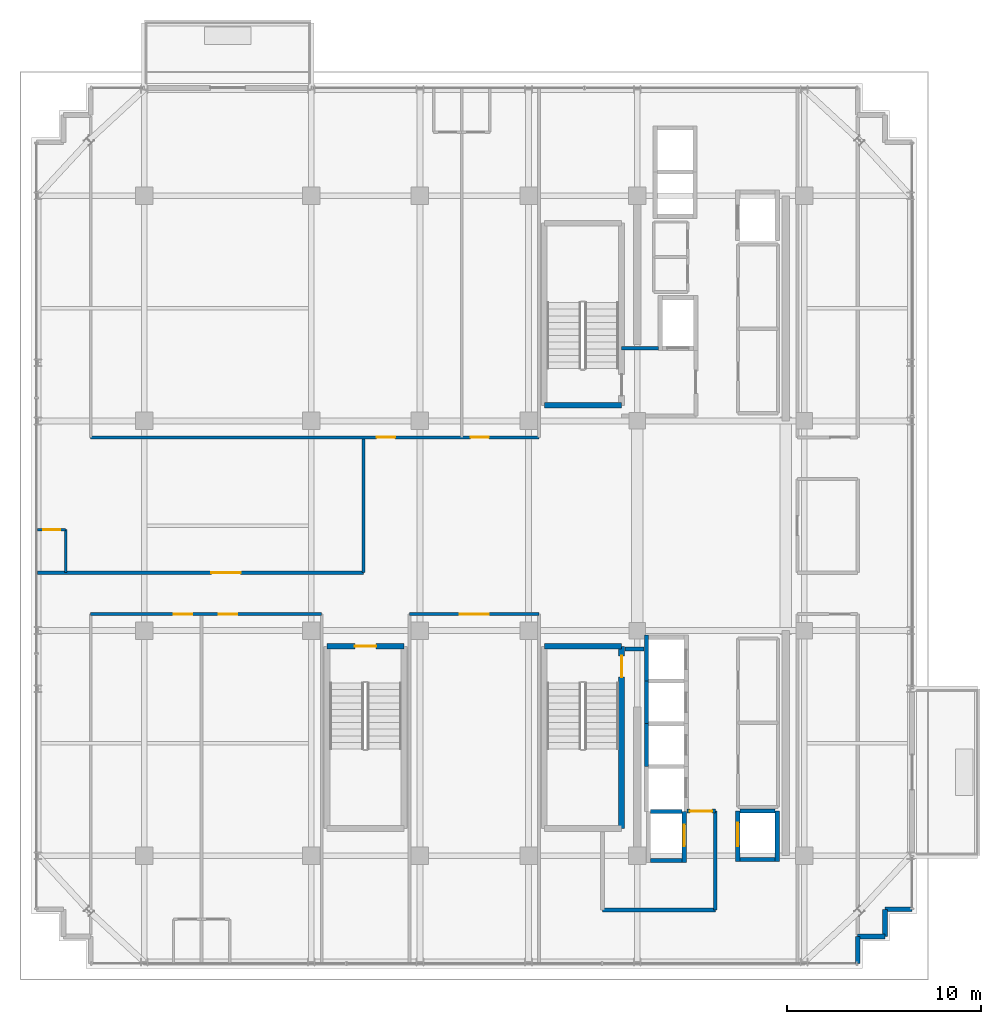
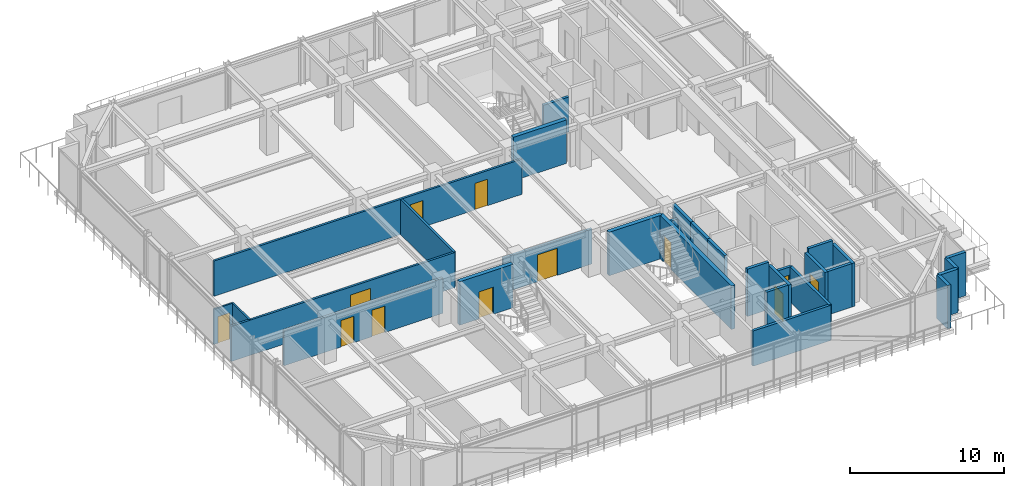
# One storey, part 24 of 32: 30 walls, 12 doors, 12 openings.
"""IFC4 building model written with IfcOpenShell, lengths in metres."""

from ifc_helpers import new_model, si_unit, direction, frame, frame_2d, origin, place, context, subcontext, project, spatial, rectangle, extrude, source, transform, mapped, material, layer, layer_set, type_object, element, fill, save


model = new_model("IFC4")

# Units and contexts
model_context = context("Model", 3, precision=1e-05, world=origin(), true_north=direction((0.0, 1.0)))
body_context = subcontext(model_context, "Body", "Model", "MODEL_VIEW")
ifc_project = project(units=[si_unit("LENGTHUNIT", "METRE"), si_unit("AREAUNIT", "SQUARE_METRE"), si_unit("VOLUMEUNIT", "CUBIC_METRE"), si_unit("PLANEANGLEUNIT", "RADIAN"), si_unit("MASSUNIT", "GRAM", prefix="KILO")], contexts=[model_context])

# Site, building, storey
site_placement = place(None, origin())
site = spatial("IfcSite", under=ifc_project, at=site_placement, CompositionType="ELEMENT")
building_placement = place(site_placement, origin())
building = spatial("IfcBuilding", under=site, at=building_placement, Name="Nahalor Promenade Grand Hotel", CompositionType="ELEMENT")
storey_placement = place(building_placement, frame((0.0, 0.0, 266.300048828125)))
storey = spatial("IfcBuildingStorey", under=building, at=storey_placement, Name="L68", CompositionType="ELEMENT", Elevation=266.300048828125)

# Walls
ifc_material_1 = material(Name="Concrete B-50 (C40/50)", Category="concrete")
ifc_layer_1 = layer(ifc_material_1, 0.300048828125)
ifc_layer_set_1 = layer_set([ifc_layer_1], Name="Concrete B-50 (C40/50)")
wall_type_1 = type_object("IfcWallType", Name="Wall-ShaftShear-300", PredefinedType="SHEAR", material=ifc_layer_set_1)
shared_shape_1 = source(origin(), body_context, "Body", "SweptSolid", [
    extrude(rectangle(XDim=3.97998046875, YDim=0.300048828125, at=frame_2d((1.989990234375, 0.0))), origin(), (0.0, 0.0, 1.0), 3.449951171875),
])
for number, where, z_axis, x_axis, name in (
    (1, (3.610107421875, 6.2099609375, 0.0), (0.0, 0.0, 1.0), (1.0, 0.0, 0.0), "L68 Exit Stair ST1 Shaft Wall S"),
    (2, (3.610107421875, -6.2099609375, 0.0), (0.0, 0.0, 1.0), (1.0, 0.0, 0.0), "L68 Exit Stair ST2 Shaft Wall N"),
):
    element("IfcWall", number, at=place(storey_placement, frame(where, z_axis=z_axis, x_axis=x_axis)), inside=storey, type_object=wall_type_1, Name=name, PredefinedType="SHEAR", context=body_context, shape_type="MappedRepresentation", body=[
        mapped(shared_shape_1, transform((0.0, 0.0, 0.0), scale=1.0)),
    ])

# Wall, opening, door
wall_1_placement = place(storey_placement, frame((-7.590087890625, -6.2099609375, 0.0), z_axis=(0.0, 0.0, 1.0), x_axis=(1.0, 0.0, 0.0)))
wall_1 = element("IfcWall", 3, at=wall_1_placement, inside=storey, type_object=wall_type_1, Name="L68 Exit Stair ST3 Shaft Wall N", PredefinedType="SHEAR", context=body_context, shape_type="MappedRepresentation", body=[
    mapped(shared_shape_1, transform((0.0, 0.0, 0.0), scale=1.0)),
])
opening_1_placement = place(wall_1_placement, frame((1.43994140625, 0.0, 0.0)))
opening_1 = element("IfcOpeningElement", 4, at=opening_1_placement, cuts=wall_1, Name="Opening D-ST1", PredefinedType="OPENING", context=body_context, shape_type="SweptSolid", body=[
    extrude(rectangle(XDim=1.10009765625, YDim=2.14990234375, at=frame_2d((0.550048828125, 1.074951171875))), frame((0.0, 0.159912109375, 0.0), z_axis=(0.0, -1.0, 0.0), x_axis=(1.0, 0.0, 0.0)), (0.0, 0.0, 1.0), 0.320068359375),
])
ifc_material_2 = material(Name="Steel S355JR", Category="steel")
door_type_1 = type_object("IfcDoorType", Name="Door-StairFire-1100", OperationType="NOTDEFINED", PredefinedType="DOOR", material=ifc_material_2)
shared_shape_2 = source(origin(), body_context, "Body", "SweptSolid", [
    extrude(rectangle(XDim=1.10009765625, YDim=2.14990234375, at=frame_2d((0.550048828125, 1.074951171875))), frame((0.0, 0.02490234375, 0.0), z_axis=(0.0, -1.0, 0.0), x_axis=(1.0, 0.0, 0.0)), (0.0, 0.0, 1.0), 0.050048828125),
])
door_1_placement = place(opening_1_placement, frame((1.10009765625, 0.0, 0.0), z_axis=(0.0, 0.0, 1.0), x_axis=(-1.0, 0.0, 0.0)))
door_1 = element("IfcDoor", 5, at=door_1_placement, inside=storey, type_object=door_type_1, Name="DR-STAIR-ST3-L68", OperationType="SINGLE_SWING_LEFT", OverallHeight=2.14990234375, OverallWidth=1.10009765625, PredefinedType="DOOR", context=body_context, shape_type="MappedRepresentation", body=[
    mapped(shared_shape_2, transform((0.0, 0.0, 0.0), scale=1.0)),
])
fill(opening_1, door_1)

shared_shape_3 = source(origin(), body_context, "Body", "SweptSolid", [
    extrude(rectangle(XDim=9.380126953125, YDim=0.300048828125, at=frame_2d((4.68994140625, 0.0))), origin(), (0.0, 0.0, 1.0), 3.449951171875),
])
wall_2_placement = place(storey_placement, frame((7.590087890625, -15.590087890625, 0.0), z_axis=(0.0, 0.0, 1.0), x_axis=(0.0, 1.0, 0.0)))
wall_2 = element("IfcWall", 6, at=wall_2_placement, inside=storey, type_object=wall_type_1, Name="L68 Exit Stair ST2 Shaft Wall E", PredefinedType="SHEAR", context=body_context, shape_type="MappedRepresentation", body=[
    mapped(shared_shape_3, transform((0.0, 0.0, 0.0), scale=1.0)),
])
opening_2_placement = place(wall_2_placement, frame((7.7900390625, 0.0, 0.0)))
opening_2 = element("IfcOpeningElement", 7, at=opening_2_placement, cuts=wall_2, Name="Opening D-ST1", PredefinedType="OPENING", context=body_context, shape_type="SweptSolid", body=[
    extrude(rectangle(XDim=1.10009765625, YDim=2.14990234375, at=frame_2d((0.550048828125, 1.074951171875))), frame((0.0, 0.159912109375, 0.0), z_axis=(0.0, -1.0, 0.0), x_axis=(1.0, 0.0, 0.0)), (0.0, 0.0, 1.0), 0.320068359375),
])
door_2_placement = place(opening_2_placement, origin())
door_2 = element("IfcDoor", 8, at=door_2_placement, inside=storey, type_object=door_type_1, Name="DR-STAIR-ST2-L68", OperationType="SINGLE_SWING_LEFT", OverallHeight=2.14990234375, OverallWidth=1.10009765625, PredefinedType="DOOR", context=body_context, shape_type="MappedRepresentation", body=[
    mapped(shared_shape_2, transform((0.0, 0.0, 0.0), scale=1.0)),
])
fill(opening_2, door_2)

# Walls
ifc_layer_2 = layer(ifc_material_1, 0.219970703125)
ifc_layer_set_2 = layer_set([ifc_layer_2], Name="Concrete B-50 (C40/50)")
wall_type_2 = type_object("IfcWallType", Name="Wall-LiftShaft-220", PredefinedType="SHEAR", material=ifc_layer_set_2)
shared_shape_4 = source(origin(), body_context, "Body", "SweptSolid", [
    extrude(rectangle(XDim=2.360107421875, YDim=0.219970703125, at=frame_2d((1.18017578125, 0.0))), origin(), (0.0, 0.0, 1.0), 3.449951171875),
])
wall_3_placement = place(storey_placement, frame((8.8798828125, -8.0, 0.0), z_axis=(0.0, 0.0, 1.0), x_axis=(0.0, 1.0, 0.0)))
element("IfcWall", 9, at=wall_3_placement, inside=storey, type_object=wall_type_2, Name="L68 Lift PL9 Hoistway Wall W", PredefinedType="SHEAR", context=body_context, shape_type="MappedRepresentation", body=[
    mapped(shared_shape_4, transform((0.0, 0.0, 0.0), scale=1.0)),
])
shared_shape_5 = source(origin(), body_context, "Body", "SweptSolid", [
    extrude(rectangle(XDim=1.820068359375, YDim=0.219970703125, at=frame_2d((0.91015625, 0.0))), origin(), (0.0, 0.0, 1.0), 3.449951171875),
])
wall_4_placement = place(storey_placement, frame((13.68994140625, -17.199951171875, 0.0), z_axis=(0.0, 0.0, 1.0), x_axis=(1.0, 0.0, 0.0)))
element("IfcWall", 10, at=wall_4_placement, inside=storey, type_object=wall_type_2, Name="L68 Lift SV2 Hoistway Wall S", PredefinedType="SHEAR", context=body_context, shape_type="MappedRepresentation", body=[
    mapped(shared_shape_5, transform((0.0, 0.0, 0.0), scale=1.0)),
])
shared_shape_6 = source(origin(), body_context, "Body", "SweptSolid", [
    extrude(rectangle(XDim=2.199951171875, YDim=0.219970703125, at=frame_2d((1.10009765625, 0.0))), origin(), (0.0, 0.0, 1.0), 3.449951171875),
])
for number, where, z_axis, x_axis, name in (
    (11, (8.8798828125, -10.199951171875, 0.0), (0.0, 0.0, 1.0), (0.0, 1.0, 0.0), "L68 Lift PL10 Hoistway Wall W"),
    (12, (8.8798828125, -12.39990234375, 0.0), (0.0, 0.0, 1.0), (0.0, 1.0, 0.0), "L68 Lift PL11 Hoistway Wall W"),
):
    element("IfcWall", number, at=place(storey_placement, frame(where, z_axis=z_axis, x_axis=x_axis)), inside=storey, type_object=wall_type_2, Name=name, PredefinedType="SHEAR", context=body_context, shape_type="MappedRepresentation", body=[
        mapped(shared_shape_6, transform((0.0, 0.0, 0.0), scale=1.0)),
    ])
shared_shape_7 = source(origin(), body_context, "Body", "SweptSolid", [
    extrude(rectangle(XDim=1.820068359375, YDim=0.219970703125, at=frame_2d((0.91015625, 0.0))), origin(), (0.0, 0.0, 1.0), 3.75),
])
wall_5_placement = place(storey_placement, frame((13.68994140625, -14.699951171875, 0.0), z_axis=(0.0, 0.0, 1.0), x_axis=(1.0, 0.0, 0.0)))
element("IfcWall", 13, at=wall_5_placement, inside=storey, type_object=wall_type_2, Name="L68 Lift SV2 Hoistway Wall N", PredefinedType="SHEAR", context=body_context, shape_type="MappedRepresentation", body=[
    mapped(shared_shape_7, transform((0.0, 0.0, 0.0), scale=1.0)),
])

# Wall, opening, door
shared_shape_8 = source(origin(), body_context, "Body", "SweptSolid", [
    extrude(rectangle(XDim=2.635009765625, YDim=0.219970703125, at=frame_2d((1.3173828125, 0.0))), origin(), (0.0, 0.0, 1.0), 3.449951171875),
])
wall_6_placement = place(storey_placement, frame((10.820068359375, -17.360107421875, 0.0), z_axis=(0.0, 0.0, 1.0), x_axis=(0.0, 1.0, 0.0)))
wall_6 = element("IfcWall", 14, at=wall_6_placement, inside=storey, type_object=wall_type_2, Name="L68 Lift FL2 Hoistway Wall E", PredefinedType="SHEAR", context=body_context, shape_type="MappedRepresentation", body=[
    mapped(shared_shape_8, transform((0.0, 0.0, 0.0), scale=1.0)),
])
opening_3_placement = place(wall_6_placement, frame((0.860107421875, 0.0, 0.0)))
opening_3 = element("IfcOpeningElement", 15, at=opening_3_placement, cuts=wall_6, Name="Opening LD-02", PredefinedType="OPENING", context=body_context, shape_type="SweptSolid", body=[
    extrude(rectangle(XDim=1.10009765625, YDim=2.199951171875, at=frame_2d((0.550048828125, 1.10009765625))), frame((0.0, 0.119873046875, 0.0), z_axis=(0.0, -1.0, 0.0), x_axis=(1.0, 0.0, 0.0)), (0.0, 0.0, 1.0), 0.239990234375),
])
door_type_2 = type_object("IfcDoorType", Name="Door-LiftFF-1100", OperationType="DOUBLE_DOOR_SLIDING", PredefinedType="DOOR", material=ifc_material_2)
shared_shape_9 = source(origin(), body_context, "Body", "SweptSolid", [
    extrude(rectangle(XDim=1.10009765625, YDim=2.199951171875, at=frame_2d((0.550048828125, 1.10009765625))), frame((0.0, 0.02490234375, 0.0), z_axis=(0.0, -1.0, 0.0), x_axis=(1.0, 0.0, 0.0)), (0.0, 0.0, 1.0), 0.050048828125),
])
door_3_placement = place(opening_3_placement, frame((1.10009765625, 0.0, 0.0), z_axis=(0.0, 0.0, 1.0), x_axis=(-1.0, 0.0, 0.0)))
door_3 = element("IfcDoor", 16, at=door_3_placement, inside=storey, type_object=door_type_2, Name="DR-LIFT-FL2-L68", OperationType="DOUBLE_DOOR_SLIDING", OverallHeight=2.199951171875, OverallWidth=1.10009765625, PredefinedType="DOOR", context=body_context, shape_type="MappedRepresentation", body=[
    mapped(shared_shape_9, transform((0.0, 0.0, 0.0), scale=1.0)),
])
fill(opening_3, door_3)

# Walls
shared_shape_10 = source(origin(), body_context, "Body", "SweptSolid", [
    extrude(rectangle(XDim=1.619873046875, YDim=0.219970703125, at=frame_2d((0.81005859375, 0.0))), origin(), (0.0, 0.0, 1.0), 3.449951171875),
])
wall_7_placement = place(storey_placement, frame((9.090087890625, -17.25, 0.0), z_axis=(0.0, 0.0, 1.0), x_axis=(1.0, 0.0, 0.0)))
element("IfcWall", 17, at=wall_7_placement, inside=storey, type_object=wall_type_2, Name="L68 Lift FL2 Hoistway Wall S", PredefinedType="SHEAR", context=body_context, shape_type="MappedRepresentation", body=[
    mapped(shared_shape_10, transform((0.0, 0.0, 0.0), scale=1.0)),
])
shared_shape_11 = source(origin(), body_context, "Body", "SweptSolid", [
    extrude(rectangle(XDim=1.619873046875, YDim=0.219970703125, at=frame_2d((0.81005859375, 0.0))), origin(), (0.0, 0.0, 1.0), 3.75),
])
wall_8_placement = place(storey_placement, frame((9.090087890625, -14.72509765625, 0.0), z_axis=(0.0, 0.0, 1.0), x_axis=(1.0, 0.0, 0.0)))
element("IfcWall", 18, at=wall_8_placement, inside=storey, type_object=wall_type_2, Name="L68 Lift FL2 Hoistway Wall N", PredefinedType="SHEAR", context=body_context, shape_type="MappedRepresentation", body=[
    mapped(shared_shape_11, transform((0.0, 0.0, 0.0), scale=1.0)),
])

# Wall, opening, door
shared_shape_12 = source(origin(), body_context, "Body", "SweptSolid", [
    extrude(rectangle(XDim=2.610107421875, YDim=0.219970703125, at=frame_2d((1.30517578125, 0.0))), origin(), (0.0, 0.0, 1.0), 3.449951171875),
])
wall_9_placement = place(storey_placement, frame((13.580078125, -17.31005859375, 0.0), z_axis=(0.0, 0.0, 1.0), x_axis=(0.0, 1.0, 0.0)))
wall_9 = element("IfcWall", 19, at=wall_9_placement, inside=storey, type_object=wall_type_2, Name="L68 Lift SV2 Hoistway Wall W", PredefinedType="SHEAR", context=body_context, shape_type="MappedRepresentation", body=[
    mapped(shared_shape_12, transform((0.0, 0.0, 0.0), scale=1.0)),
])
opening_4_placement = place(wall_9_placement, frame((0.81005859375, 0.0, 0.0)))
opening_4 = element("IfcOpeningElement", 20, at=opening_4_placement, cuts=wall_9, Name="Opening LD-03", PredefinedType="OPENING", context=body_context, shape_type="SweptSolid", body=[
    extrude(rectangle(XDim=1.199951171875, YDim=2.199951171875, at=frame_2d((0.60009765625, 1.10009765625))), frame((0.0, 0.119873046875, 0.0), z_axis=(0.0, -1.0, 0.0), x_axis=(1.0, 0.0, 0.0)), (0.0, 0.0, 1.0), 0.239990234375),
])
door_type_3 = type_object("IfcDoorType", Name="Door-LiftService-1200", OperationType="DOUBLE_DOOR_SLIDING", PredefinedType="DOOR", material=ifc_material_2)
shared_shape_13 = source(origin(), body_context, "Body", "SweptSolid", [
    extrude(rectangle(XDim=1.199951171875, YDim=2.199951171875, at=frame_2d((0.60009765625, 1.10009765625))), frame((0.0, 0.02490234375, 0.0), z_axis=(0.0, -1.0, 0.0), x_axis=(1.0, 0.0, 0.0)), (0.0, 0.0, 1.0), 0.050048828125),
])
door_4_placement = place(opening_4_placement, origin())
door_4 = element("IfcDoor", 21, at=door_4_placement, inside=storey, type_object=door_type_3, Name="DR-LIFT-SV2-L68", OperationType="DOUBLE_DOOR_SLIDING", OverallHeight=2.199951171875, OverallWidth=1.199951171875, PredefinedType="DOOR", context=body_context, shape_type="MappedRepresentation", body=[
    mapped(shared_shape_13, transform((0.0, 0.0, 0.0), scale=1.0)),
])
fill(opening_4, door_4)

# Walls
wall_10_placement = place(storey_placement, frame((15.6201171875, -17.31005859375, 0.0), z_axis=(0.0, 0.0, 1.0), x_axis=(0.0, 1.0, 0.0)))
element("IfcWall", 22, at=wall_10_placement, inside=storey, type_object=wall_type_2, Name="L68 Lift SV2 Hoistway Wall E", PredefinedType="SHEAR", context=body_context, shape_type="MappedRepresentation", body=[
    mapped(shared_shape_12, transform((0.0, 0.0, 0.0), scale=1.0)),
])
ifc_material_3 = material(Name="Concrete B-40 (C32/40)", Category="concrete")
ifc_layer_3 = layer(ifc_material_3, 0.25)
ifc_layer_set_3 = layer_set([ifc_layer_3], Name="Concrete B-40 (C32/40)")
wall_type_3 = type_object("IfcWallType", Name="Wall-BronzePier-250", PredefinedType="STANDARD", material=ifc_layer_set_3)
shared_shape_14 = source(origin(), body_context, "Body", "SweptSolid", [
    extrude(rectangle(XDim=1.400146484375, YDim=0.25, at=frame_2d((0.7001953125, 0.0))), origin(), (0.0, 0.0, 1.0), 3.449951171875),
])
for number, where, z_axis, x_axis, name in (
    (23, (19.760009765625, -22.56005859375, 0.0), (0.0, 0.0, 1.0), (0.0, 1.0, 0.0), "W-L68-SR-01"),
    (24, (21.159912109375, -19.760009765625, 0.0), (0.0, 0.0, 1.0), (1.0, 0.0, 0.0), "W-L68-SR-04"),
):
    element("IfcWall", number, at=place(storey_placement, frame(where, z_axis=z_axis, x_axis=x_axis)), inside=storey, type_object=wall_type_3, Name=name, PredefinedType="STANDARD", context=body_context, shape_type="MappedRepresentation", body=[
        mapped(shared_shape_14, transform((0.0, 0.0, 0.0), scale=1.0)),
    ])
shared_shape_15 = source(origin(), body_context, "Body", "SweptSolid", [
    extrude(rectangle(XDim=1.39990234375, YDim=0.25, at=frame_2d((0.699951171875, 0.0))), origin(), (0.0, 0.0, 1.0), 3.449951171875),
])
for number, where, z_axis, x_axis, name in (
    (25, (19.760009765625, -21.159912109375, 0.0), (0.0, 0.0, 1.0), (1.0, 0.0, 0.0), "W-L68-SR-02"),
    (26, (21.159912109375, -21.159912109375, 0.0), (0.0, 0.0, 1.0), (0.0, 1.0, 0.0), "W-L68-SR-03"),
):
    element("IfcWall", number, at=place(storey_placement, frame(where, z_axis=z_axis, x_axis=x_axis)), inside=storey, type_object=wall_type_3, Name=name, PredefinedType="STANDARD", context=body_context, shape_type="MappedRepresentation", body=[
        mapped(shared_shape_15, transform((0.0, 0.0, 0.0), scale=1.0)),
    ])
ifc_layer_4 = layer(ifc_material_3, 0.199951171875)
ifc_layer_set_4 = layer_set([ifc_layer_4], Name="Concrete B-40 (C32/40)")
wall_type_4 = type_object("IfcWallType", Name="Wall-PartFire-200", PredefinedType="PARTITIONING", material=ifc_layer_set_4)
shared_shape_16 = source(origin(), body_context, "Body", "SweptSolid", [
    extrude(rectangle(XDim=1.89990234375, YDim=0.199951171875, at=frame_2d((0.949951171875, 0.0))), origin(), (0.0, 0.0, 1.0), 2.7900390625),
])
wall_11_placement = place(storey_placement, frame((7.60009765625, 9.14990234375, 0.0), z_axis=(0.0, 0.0, 1.0), x_axis=(1.0, 0.0, 0.0)))
element("IfcWall", 27, at=wall_11_placement, inside=storey, type_object=wall_type_4, Name="W-L68-FF1-N", PredefinedType="PARTITIONING", context=body_context, shape_type="MappedRepresentation", body=[
    mapped(shared_shape_16, transform((0.0, 0.0, 0.0), scale=1.0)),
])
shared_shape_17 = source(origin(), body_context, "Body", "SweptSolid", [
    extrude(rectangle(XDim=5.81982421875, YDim=0.199951171875, at=frame_2d((2.909912109375, 0.0))), origin(), (0.0, 0.0, 1.0), 2.7900390625),
])
wall_12_placement = place(storey_placement, frame((6.60009765625, -19.800048828125, 0.0), z_axis=(0.0, 0.0, 1.0), x_axis=(1.0, 0.0, 0.0)))
element("IfcWall", 28, at=wall_12_placement, inside=storey, type_object=wall_type_4, Name="W-L68-FF2-S1", PredefinedType="PARTITIONING", context=body_context, shape_type="MappedRepresentation", body=[
    mapped(shared_shape_17, transform((0.0, 0.0, 0.0), scale=1.0)),
])
shared_shape_18 = source(origin(), body_context, "Body", "SweptSolid", [
    extrude(rectangle(XDim=5.10009765625, YDim=0.199951171875, at=frame_2d((2.550048828125, 0.0))), origin(), (0.0, 0.0, 1.0), 2.7900390625),
])
wall_13_placement = place(storey_placement, frame((12.419921875, -19.800048828125, 0.0), z_axis=(0.0, 0.0, 1.0), x_axis=(0.0, 1.0, 0.0)))
element("IfcWall", 29, at=wall_13_placement, inside=storey, type_object=wall_type_4, Name="W-L68-FF2-E", PredefinedType="PARTITIONING", context=body_context, shape_type="MappedRepresentation", body=[
    mapped(shared_shape_18, transform((0.0, 0.0, 0.0), scale=1.0)),
])

# Wall, opening, door
shared_shape_19 = source(origin(), body_context, "Body", "SweptSolid", [
    extrude(rectangle(XDim=1.4599609375, YDim=0.199951171875, at=frame_2d((0.72998046875, 0.0))), origin(), (0.0, 0.0, 1.0), 2.7900390625),
])
wall_14_placement = place(storey_placement, frame((10.9599609375, -14.699951171875, 0.0), z_axis=(0.0, 0.0, 1.0), x_axis=(1.0, 0.0, 0.0)))
wall_14 = element("IfcWall", 30, at=wall_14_placement, inside=storey, type_object=wall_type_4, Name="W-L68-FF2-N1", PredefinedType="PARTITIONING", context=body_context, shape_type="MappedRepresentation", body=[
    mapped(shared_shape_19, transform((0.0, 0.0, 0.0), scale=1.0)),
])
opening_5_placement = place(wall_14_placement, frame((0.14501953125, 0.0, 0.0)))
opening_5 = element("IfcOpeningElement", 31, at=opening_5_placement, cuts=wall_14, Name="Opening D-FF1", PredefinedType="OPENING", context=body_context, shape_type="SweptSolid", body=[
    extrude(rectangle(XDim=1.14990234375, YDim=2.14990234375, at=frame_2d((0.574951171875, 1.074951171875))), frame((0.0, 0.10986328125, 0.0), z_axis=(0.0, -1.0, 0.0), x_axis=(1.0, 0.0, 0.0)), (0.0, 0.0, 1.0), 0.219970703125),
])
door_type_4 = type_object("IfcDoorType", Name="Door-FFLobby-1150", OperationType="NOTDEFINED", PredefinedType="DOOR", material=ifc_material_2)
shared_shape_20 = source(origin(), body_context, "Body", "SweptSolid", [
    extrude(rectangle(XDim=1.14990234375, YDim=2.14990234375, at=frame_2d((0.574951171875, 1.074951171875))), frame((0.0, 0.02490234375, 0.0), z_axis=(0.0, -1.0, 0.0), x_axis=(1.0, 0.0, 0.0)), (0.0, 0.0, 1.0), 0.050048828125),
])
door_5_placement = place(opening_5_placement, origin())
door_5 = element("IfcDoor", 32, at=door_5_placement, inside=storey, type_object=door_type_4, Name="DR-L68-FFL2", OperationType="SINGLE_SWING_LEFT", OverallHeight=2.14990234375, OverallWidth=1.14990234375, PredefinedType="DOOR", context=body_context, shape_type="MappedRepresentation", body=[
    mapped(shared_shape_20, transform((0.0, 0.0, 0.0), scale=1.0)),
])
fill(opening_5, door_5)

# Wall
shared_shape_21 = source(origin(), body_context, "Body", "SweptSolid", [
    extrude(rectangle(XDim=0.969970703125, YDim=0.199951171875, at=frame_2d((0.48486328125, 0.0))), origin(), (0.0, 0.0, 1.0), 2.7900390625),
])
wall_15_placement = place(storey_placement, frame((7.77001953125, -6.35009765625, 0.0), z_axis=(0.0, 0.0, 1.0), x_axis=(1.0, 0.0, 0.0)))
element("IfcWall", 33, at=wall_15_placement, inside=storey, type_object=wall_type_4, Name="W-L68-FF2-N2", PredefinedType="PARTITIONING", context=body_context, shape_type="MappedRepresentation", body=[
    mapped(shared_shape_21, transform((0.0, 0.0, 0.0), scale=1.0)),
])

# Wall, openings, doors
ifc_material_4 = material(Name="Acoustic Mineral Gypsum", Category="gypsum")
ifc_layer_5 = layer(ifc_material_4, 0.159912109375)
ifc_layer_set_5 = layer_set([ifc_layer_5], Name="Acoustic Mineral Gypsum")
wall_type_5 = type_object("IfcWallType", Name="Wall-PartCorridor-160", PredefinedType="PARTITIONING", material=ifc_layer_set_5)
shared_shape_22 = source(origin(), body_context, "Body", "SweptSolid", [
    extrude(rectangle(XDim=23.10009765625, YDim=0.159912109375, at=frame_2d((11.550048828125, 0.0))), origin(), (0.0, 0.0, 1.0), 2.7900390625),
])
wall_16_placement = place(storey_placement, frame((-19.760009765625, 4.550048828125, 0.0), z_axis=(0.0, 0.0, 1.0), x_axis=(1.0, 0.0, 0.0)))
wall_16 = element("IfcWall", 34, at=wall_16_placement, inside=storey, type_object=wall_type_5, Name="W-L68-CORR-N", PredefinedType="PARTITIONING", context=body_context, shape_type="MappedRepresentation", body=[
    mapped(shared_shape_22, transform((0.0, 0.0, 0.0), scale=1.0)),
])
opening_6_placement = place(wall_16_placement, frame((14.72802734375, 0.0, 0.0)))
opening_6 = element("IfcOpeningElement", 35, at=opening_6_placement, cuts=wall_16, Name="Opening D-01", PredefinedType="OPENING", context=body_context, shape_type="SweptSolid", body=[
    extrude(rectangle(XDim=0.949951171875, YDim=2.10009765625, at=frame_2d((0.47509765625, 1.050048828125))), frame((0.0, 0.08984375, 0.0), z_axis=(0.0, -1.0, 0.0), x_axis=(1.0, 0.0, 0.0)), (0.0, 0.0, 1.0), 0.179931640625),
])
opening_7_placement = place(wall_16_placement, frame((19.569091796875, 0.0, 0.0)))
opening_7 = element("IfcOpeningElement", 36, at=opening_7_placement, cuts=wall_16, Name="Opening D-01", PredefinedType="OPENING", context=body_context, shape_type="SweptSolid", body=[
    extrude(rectangle(XDim=0.949951171875, YDim=2.10009765625, at=frame_2d((0.47509765625, 1.050048828125))), frame((0.0, 0.08984375, 0.0), z_axis=(0.0, -1.0, 0.0), x_axis=(1.0, 0.0, 0.0)), (0.0, 0.0, 1.0), 0.179931640625),
])
ifc_material_5 = material(Name="Fire-Rated Timber Composite", Category="wood")
door_type_5 = type_object("IfcDoorType", Name="Door-GuestEntry-950", OperationType="NOTDEFINED", PredefinedType="DOOR", material=ifc_material_5)
shared_shape_23 = source(origin(), body_context, "Body", "SweptSolid", [
    extrude(rectangle(XDim=0.949951171875, YDim=2.10009765625, at=frame_2d((0.47509765625, 1.050048828125))), frame((0.0, 0.02490234375, 0.0), z_axis=(0.0, -1.0, 0.0), x_axis=(1.0, 0.0, 0.0)), (0.0, 0.0, 1.0), 0.050048828125),
])
door_6_placement = place(opening_6_placement, origin())
door_6 = element("IfcDoor", 37, at=door_6_placement, inside=storey, type_object=door_type_5, Name="DR-L68-N1-ENT", OperationType="SINGLE_SWING_LEFT", OverallHeight=2.10009765625, OverallWidth=0.949951171875, PredefinedType="DOOR", context=body_context, shape_type="MappedRepresentation", body=[
    mapped(shared_shape_23, transform((0.0, 0.0, 0.0), scale=1.0)),
])
fill(opening_6, door_6)
door_7_placement = place(opening_7_placement, origin())
door_7 = element("IfcDoor", 38, at=door_7_placement, inside=storey, type_object=door_type_5, Name="DR-L68-N2-ENT", OperationType="SINGLE_SWING_LEFT", OverallHeight=2.10009765625, OverallWidth=0.949951171875, PredefinedType="DOOR", context=body_context, shape_type="MappedRepresentation", body=[
    mapped(shared_shape_23, transform((0.0, 0.0, 0.0), scale=1.0)),
])
fill(opening_7, door_7)

# Wall, opening, door
ifc_layer_6 = layer(ifc_material_4, 0.1201171875)
ifc_layer_set_6 = layer_set([ifc_layer_6], Name="Acoustic Mineral Gypsum")
wall_type_6 = type_object("IfcWallType", Name="Wall-PartBath-120", PredefinedType="PARTITIONING", material=ifc_layer_set_6)
shared_shape_24 = source(origin(), body_context, "Body", "SweptSolid", [
    extrude(rectangle(XDim=1.449951171875, YDim=0.1201171875, at=frame_2d((0.72509765625, 0.0))), origin(), (0.0, 0.0, 1.0), 2.7900390625),
])
wall_17_placement = place(storey_placement, frame((-22.5, -0.199951171875, 0.0), z_axis=(0.0, 0.0, 1.0), x_axis=(1.0, 0.0, 0.0)))
wall_17 = element("IfcWall", 39, at=wall_17_placement, inside=storey, type_object=wall_type_6, Name="W-L68-W1-BH", PredefinedType="PARTITIONING", context=body_context, shape_type="MappedRepresentation", body=[
    mapped(shared_shape_24, transform((0.0, 0.0, 0.0), scale=1.0)),
])
opening_8_placement = place(wall_17_placement, frame((0.284912109375, 0.0, 0.0)))
opening_8 = element("IfcOpeningElement", 40, at=opening_8_placement, cuts=wall_17, Name="Opening D-03", PredefinedType="OPENING", context=body_context, shape_type="SweptSolid", body=[
    extrude(rectangle(XDim=0.8798828125, YDim=2.10009765625, at=frame_2d((0.43994140625, 1.050048828125))), frame((0.0, 0.070068359375, 0.0), z_axis=(0.0, -1.0, 0.0), x_axis=(1.0, 0.0, 0.0)), (0.0, 0.0, 1.0), 0.14013671875),
])
door_type_6 = type_object("IfcDoorType", Name="Door-BathSwing-880", OperationType="NOTDEFINED", PredefinedType="DOOR", material=ifc_material_5)
shared_shape_25 = source(origin(), body_context, "Body", "SweptSolid", [
    extrude(rectangle(XDim=0.8798828125, YDim=2.10009765625, at=frame_2d((0.43994140625, 1.050048828125))), frame((0.0, 0.02490234375, 0.0), z_axis=(0.0, -1.0, 0.0), x_axis=(1.0, 0.0, 0.0)), (0.0, 0.0, 1.0), 0.050048828125),
])
door_8_placement = place(opening_8_placement, frame((0.8798828125, 0.0, 0.0), z_axis=(0.0, 0.0, 1.0), x_axis=(-1.0, 0.0, 0.0)))
door_8 = element("IfcDoor", 41, at=door_8_placement, inside=storey, type_object=door_type_6, Name="DR-L68-W1-BATH", OperationType="SINGLE_SWING_RIGHT", OverallHeight=2.10009765625, OverallWidth=0.8798828125, PredefinedType="DOOR", context=body_context, shape_type="MappedRepresentation", body=[
    mapped(shared_shape_25, transform((0.0, 0.0, 0.0), scale=1.0)),
])
fill(opening_8, door_8)

# Wall
shared_shape_26 = source(origin(), body_context, "Body", "SweptSolid", [
    extrude(rectangle(XDim=2.219970703125, YDim=0.1201171875, at=frame_2d((1.10986328125, 0.0))), origin(), (0.0, 0.0, 1.0), 2.7900390625),
])
wall_18_placement = place(storey_placement, frame((-21.050048828125, -2.419921875, 0.0), z_axis=(0.0, 0.0, 1.0), x_axis=(0.0, 1.0, 0.0)))
element("IfcWall", 42, at=wall_18_placement, inside=storey, type_object=wall_type_6, Name="W-L68-W1-BV", PredefinedType="PARTITIONING", context=body_context, shape_type="MappedRepresentation", body=[
    mapped(shared_shape_26, transform((0.0, 0.0, 0.0), scale=1.0)),
])

# Wall, openings, doors
shared_shape_27 = source(origin(), body_context, "Body", "SweptSolid", [
    extrude(rectangle(XDim=11.89990234375, YDim=0.159912109375, at=frame_2d((5.949951171875, 0.0))), origin(), (0.0, 0.0, 1.0), 2.7900390625),
])
wall_19_placement = place(storey_placement, frame((-19.760009765625, -4.550048828125, 0.0), z_axis=(0.0, 0.0, 1.0), x_axis=(1.0, 0.0, 0.0)))
wall_19 = element("IfcWall", 43, at=wall_19_placement, inside=storey, type_object=wall_type_5, Name="W-L68-CORR-S", PredefinedType="PARTITIONING", context=body_context, shape_type="MappedRepresentation", body=[
    mapped(shared_shape_27, transform((0.0, 0.0, 0.0), scale=1.0)),
])
opening_9_placement = place(wall_19_placement, frame((4.27099609375, 0.0, 0.0)))
opening_9 = element("IfcOpeningElement", 44, at=opening_9_placement, cuts=wall_19, Name="Opening D-01", PredefinedType="OPENING", context=body_context, shape_type="SweptSolid", body=[
    extrude(rectangle(XDim=0.949951171875, YDim=2.10009765625, at=frame_2d((0.47509765625, 1.050048828125))), frame((0.0, 0.08984375, 0.0), z_axis=(0.0, -1.0, 0.0), x_axis=(1.0, 0.0, 0.0)), (0.0, 0.0, 1.0), 0.179931640625),
])
opening_10_placement = place(wall_19_placement, frame((6.597900390625, 0.0, 0.0)))
opening_10 = element("IfcOpeningElement", 45, at=opening_10_placement, cuts=wall_19, Name="Opening D-01", PredefinedType="OPENING", context=body_context, shape_type="SweptSolid", body=[
    extrude(rectangle(XDim=0.949951171875, YDim=2.10009765625, at=frame_2d((0.47509765625, 1.050048828125))), frame((0.0, 0.08984375, 0.0), z_axis=(0.0, -1.0, 0.0), x_axis=(1.0, 0.0, 0.0)), (0.0, 0.0, 1.0), 0.179931640625),
])
door_9_placement = place(opening_9_placement, frame((0.949951171875, 0.0, 0.0), z_axis=(0.0, 0.0, 1.0), x_axis=(-1.0, 0.0, 0.0)))
door_9 = element("IfcDoor", 46, at=door_9_placement, inside=storey, type_object=door_type_5, Name="DR-L68-S1-ENT", OperationType="SINGLE_SWING_LEFT", OverallHeight=2.10009765625, OverallWidth=0.949951171875, PredefinedType="DOOR", context=body_context, shape_type="MappedRepresentation", body=[
    mapped(shared_shape_23, transform((0.0, 0.0, 0.0), scale=1.0)),
])
fill(opening_9, door_9)
door_10_placement = place(opening_10_placement, frame((0.949951171875, 0.0, 0.0), z_axis=(0.0, 0.0, 1.0), x_axis=(-1.0, 0.0, 0.0)))
door_10 = element("IfcDoor", 47, at=door_10_placement, inside=storey, type_object=door_type_5, Name="DR-L68-S2-ENT", OperationType="SINGLE_SWING_LEFT", OverallHeight=2.10009765625, OverallWidth=0.949951171875, PredefinedType="DOOR", context=body_context, shape_type="MappedRepresentation", body=[
    mapped(shared_shape_23, transform((0.0, 0.0, 0.0), scale=1.0)),
])
fill(opening_10, door_10)

# Wall, opening, door
shared_shape_28 = source(origin(), body_context, "Body", "SweptSolid", [
    extrude(rectangle(XDim=6.68017578125, YDim=0.159912109375, at=frame_2d((3.340087890625, 0.0))), origin(), (0.0, 0.0, 1.0), 2.7900390625),
])
wall_20_placement = place(storey_placement, frame((-3.340087890625, -4.550048828125, 0.0), z_axis=(0.0, 0.0, 1.0), x_axis=(1.0, 0.0, 0.0)))
wall_20 = element("IfcWall", 48, at=wall_20_placement, inside=storey, type_object=wall_type_5, Name="W-L68-SCB-N", PredefinedType="PARTITIONING", context=body_context, shape_type="MappedRepresentation", body=[
    mapped(shared_shape_28, transform((0.0, 0.0, 0.0), scale=1.0)),
])
opening_11_placement = place(wall_20_placement, frame((2.590087890625, 0.0, 0.0)))
opening_11 = element("IfcOpeningElement", 49, at=opening_11_placement, cuts=wall_20, Name="Opening D-02", PredefinedType="OPENING", context=body_context, shape_type="SweptSolid", body=[
    extrude(rectangle(XDim=1.5, YDim=2.14990234375, at=frame_2d((0.75, 1.074951171875))), frame((0.0, 0.08984375, 0.0), z_axis=(0.0, -1.0, 0.0), x_axis=(1.0, 0.0, 0.0)), (0.0, 0.0, 1.0), 0.179931640625),
])
door_type_7 = type_object("IfcDoorType", Name="Door-SuiteDouble-1500", OperationType="DOUBLE_DOOR_SINGLE_SWING", PredefinedType="DOOR", material=ifc_material_5)
shared_shape_29 = source(origin(), body_context, "Body", "SweptSolid", [
    extrude(rectangle(XDim=1.5, YDim=2.14990234375, at=frame_2d((0.75, 1.074951171875))), frame((0.0, 0.02490234375, 0.0), z_axis=(0.0, -1.0, 0.0), x_axis=(1.0, 0.0, 0.0)), (0.0, 0.0, 1.0), 0.050048828125),
])
door_11_placement = place(opening_11_placement, frame((1.5, 0.0, 0.0), z_axis=(0.0, 0.0, 1.0), x_axis=(-1.0, 0.0, 0.0)))
door_11 = element("IfcDoor", 50, at=door_11_placement, inside=storey, type_object=door_type_7, Name="DR-L68-SCB", OperationType="DOUBLE_DOOR_SINGLE_SWING", OverallHeight=2.14990234375, OverallWidth=1.5, PredefinedType="DOOR", context=body_context, shape_type="MappedRepresentation", body=[
    mapped(shared_shape_29, transform((0.0, 0.0, 0.0), scale=1.0)),
])
fill(opening_11, door_11)

shared_shape_30 = source(origin(), body_context, "Body", "SweptSolid", [
    extrude(rectangle(XDim=16.800048828125, YDim=0.159912109375, at=frame_2d((8.39990234375, 0.0))), origin(), (0.0, 0.0, 1.0), 2.7900390625),
])
wall_21_placement = place(storey_placement, frame((-22.5, -2.419921875, 0.0), z_axis=(0.0, 0.0, 1.0), x_axis=(1.0, 0.0, 0.0)))
wall_21 = element("IfcWall", 51, at=wall_21_placement, inside=storey, type_object=wall_type_5, Name="W-L68-WEST-S", PredefinedType="PARTITIONING", context=body_context, shape_type="MappedRepresentation", body=[
    mapped(shared_shape_30, transform((0.0, 0.0, 0.0), scale=1.0)),
])
opening_12_placement = place(wall_21_placement, frame((8.9580078125, 0.0, 0.0)))
opening_12 = element("IfcOpeningElement", 52, at=opening_12_placement, cuts=wall_21, Name="Opening D-02", PredefinedType="OPENING", context=body_context, shape_type="SweptSolid", body=[
    extrude(rectangle(XDim=1.5, YDim=2.14990234375, at=frame_2d((0.75, 1.074951171875))), frame((0.0, 0.08984375, 0.0), z_axis=(0.0, -1.0, 0.0), x_axis=(1.0, 0.0, 0.0)), (0.0, 0.0, 1.0), 0.179931640625),
])
door_12_placement = place(opening_12_placement, frame((1.5, 0.0, 0.0), z_axis=(0.0, 0.0, 1.0), x_axis=(-1.0, 0.0, 0.0)))
door_12 = element("IfcDoor", 53, at=door_12_placement, inside=storey, type_object=door_type_7, Name="DR-L68-W1-ENT", OperationType="DOUBLE_DOOR_SINGLE_SWING", OverallHeight=2.14990234375, OverallWidth=1.5, PredefinedType="DOOR", context=body_context, shape_type="MappedRepresentation", body=[
    mapped(shared_shape_29, transform((0.0, 0.0, 0.0), scale=1.0)),
])
fill(opening_12, door_12)

# Wall
shared_shape_31 = source(origin(), body_context, "Body", "SweptSolid", [
    extrude(rectangle(XDim=6.8798828125, YDim=0.159912109375, at=frame_2d((3.43994140625, 0.0))), origin(), (0.0, 0.0, 1.0), 2.7900390625),
])
wall_22_placement = place(storey_placement, frame((-5.699951171875, -2.419921875, 0.0), z_axis=(0.0, 0.0, 1.0), x_axis=(0.0, 1.0, 0.0)))
element("IfcWall", 54, at=wall_22_placement, inside=storey, type_object=wall_type_5, Name="W-L68-WEST-E", PredefinedType="PARTITIONING", context=body_context, shape_type="MappedRepresentation", body=[
    mapped(shared_shape_31, transform((0.0, 0.0, 0.0), scale=1.0)),
])

save(model, "model.ifc")
